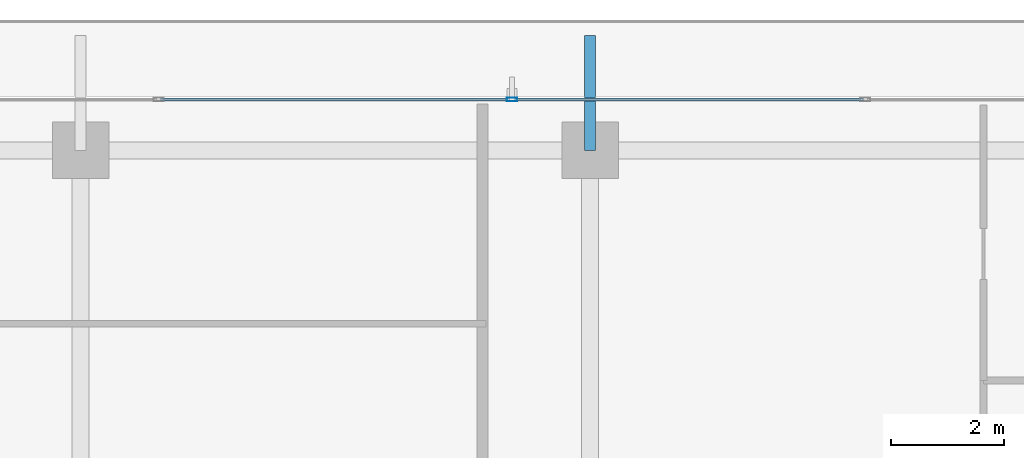
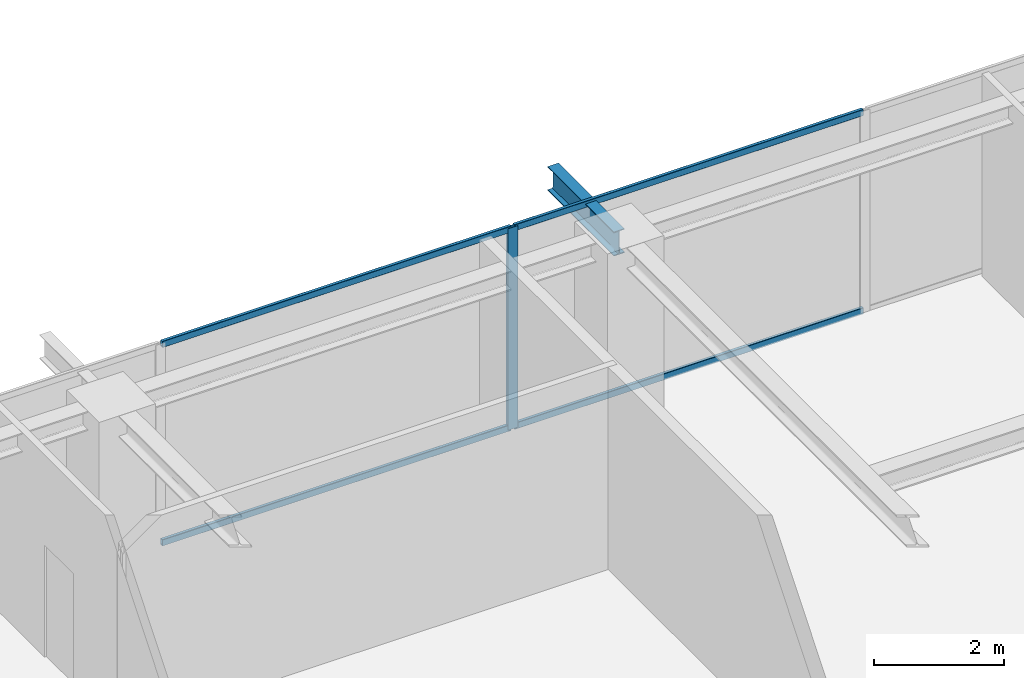
# One storey, part 23 of 41: 5 members, 1 beam, 1 element without a shape of its own.
"""IFC4 building model written with IfcOpenShell, lengths in metres."""

from ifc_helpers import new_model, si_unit, direction, frame, origin, origin_2d, place, context, subcontext, project, spatial, hollow_rectangle, i_section, extrude, source, transform, mapped, material, layer, layer_set, material_profile, profile_set, type_object, element, aggregate, save


model = new_model("IFC4")

# Units and contexts
model_context = context("Model", 3, precision=1e-05, world=origin(), true_north=direction((0.0, 1.0)))
body_context = subcontext(model_context, "Body", "Model", "MODEL_VIEW")
ifc_project = project(units=[si_unit("LENGTHUNIT", "METRE"), si_unit("AREAUNIT", "SQUARE_METRE"), si_unit("VOLUMEUNIT", "CUBIC_METRE"), si_unit("PLANEANGLEUNIT", "RADIAN"), si_unit("MASSUNIT", "GRAM", prefix="KILO")], contexts=[model_context])

# Site, building, storey
site_placement = place(None, origin())
site = spatial("IfcSite", under=ifc_project, at=site_placement, CompositionType="ELEMENT")
building_placement = place(site_placement, origin())
building = spatial("IfcBuilding", under=site, at=building_placement, Name="Serunith Strait Residences", CompositionType="ELEMENT")
storey_placement = place(building_placement, frame((0.0, 0.0, 301.550048828125)))
storey = spatial("IfcBuildingStorey", under=building, at=storey_placement, Name="L75", CompositionType="ELEMENT", Elevation=301.550048828125)

# Beam
ifc_material_1 = material(Name="Steel S355J2", Category="steel")
ifc_material_profile_1 = material_profile(ifc_material_1, i_section(OverallWidth=0.18994140625, OverallDepth=0.449951171875, WebThickness=0.009521484375, FlangeThickness=0.0146484375, FilletRadius=0.02099609375, at=origin_2d()), Name="IPE 450")
ifc_profile_set_1 = profile_set([ifc_material_profile_1], Name="Steel S355J2")
beam_type = type_object("IfcBeamType", Name="BM-IPE450", PredefinedType="JOIST", material=ifc_profile_set_1)
shared_shape_1 = source(origin(), body_context, "Body", "SweptSolid", [
    extrude(i_section(OverallWidth=0.18994140625, OverallDepth=0.449951171875, WebThickness=0.009521484375, FlangeThickness=0.0146484375, FilletRadius=0.02099609375, at=origin_2d()), origin(), (0.0, 0.0, 1.0), 2.02978515625),
])
beam_placement = place(storey_placement, frame((36.89990234375, 47.10009765625, 3.531982421875), z_axis=(0.0, 1.0, 0.0), x_axis=(-1.0, 0.0, 0.0)))
element("IfcBeam", 1, at=beam_placement, inside=storey, type_object=beam_type, Name="L76 Cantilevered Balcony Rib TC-N3", PredefinedType="JOIST", context=body_context, shape_type="MappedRepresentation", body=[
    mapped(shared_shape_1, transform((0.0, 0.0, 0.0), scale=1.0)),
])

# Curtain wall, members
ifc_material_2 = material(Name="Brushed Stainless-Silver Aluminium", Category="aluminium")
ifc_layer = layer(ifc_material_2, 0.199951171875, Name="Brushed Stainless-Silver Aluminium")
ifc_layer_set = layer_set([ifc_layer], Name="Brushed Stainless-Silver Aluminium")
curtain_wall_type = type_object("IfcCurtainWallType", Name="CW-SYS5", PredefinedType="NOTDEFINED", material=ifc_layer_set)
curtain_wall_placement = place(storey_placement, origin())
curtain_wall = element("IfcCurtainWall", 2, at=curtain_wall_placement, inside=storey, type_object=curtain_wall_type, Name="L75 N Unitised Fritted Curtain Wall", PredefinedType="NOTDEFINED")
ifc_material_profile_2 = material_profile(ifc_material_2, hollow_rectangle(XDim=0.06005859375, YDim=0.1201171875, WallThickness=0.00341796875, InnerFilletRadius=0.00537109375, OuterFilletRadius=0.0087890625, at=origin_2d()), Name="ALU 120x60x3.5")
ifc_profile_set_2 = profile_set([ifc_material_profile_2], Name="Brushed Stainless-Silver Aluminium")
member_type_1 = type_object("IfcMemberType", Name="CW-SYS5-TRAN", PredefinedType="USERDEFINED", material=ifc_profile_set_2)
shared_shape_2 = source(origin(), body_context, "Body", "SweptSolid", [
    extrude(hollow_rectangle(XDim=0.06005859375, YDim=0.1201171875, WallThickness=0.00341796875, InnerFilletRadius=0.00537109375, OuterFilletRadius=0.0087890625, at=origin_2d()), origin(), (0.0, 0.0, 1.0), 6.175048828125),
])
member_1_placement = place(storey_placement, frame((41.7275390625, 48.0, 0.030029296875), z_axis=(-1.0, 0.0, 0.0), x_axis=(0.0, -1.0, 0.0)))
member_1 = element("IfcMember", 3, at=member_1_placement, type_object=member_type_1, Name="CW-5 transom 2.1", ObjectType="TRANSOM", PredefinedType="USERDEFINED", context=body_context, shape_type="MappedRepresentation", body=[
    mapped(shared_shape_2, transform((0.0, 0.0, 0.0), scale=1.0)),
])
member_2_placement = place(storey_placement, frame((41.7275390625, 48.0, 3.744873046875), z_axis=(-1.0, 0.0, 0.0), x_axis=(0.0, -1.0, 0.0)))
member_2 = element("IfcMember", 4, at=member_2_placement, type_object=member_type_1, Name="CW-5 transom 2.2", ObjectType="TRANSOM", PredefinedType="USERDEFINED", context=body_context, shape_type="MappedRepresentation", body=[
    mapped(shared_shape_2, transform((0.0, 0.0, 0.0), scale=1.0)),
])
member_3_placement = place(storey_placement, frame((35.487548828125, 48.0, 0.030029296875), z_axis=(-1.0, 0.0, 0.0), x_axis=(0.0, -1.0, 0.0)))
member_3 = element("IfcMember", 5, at=member_3_placement, type_object=member_type_1, Name="CW-5 transom 3.1", ObjectType="TRANSOM", PredefinedType="USERDEFINED", context=body_context, shape_type="MappedRepresentation", body=[
    mapped(shared_shape_2, transform((0.0, 0.0, 0.0), scale=1.0)),
])
member_4_placement = place(storey_placement, frame((35.487548828125, 48.0, 3.744873046875), z_axis=(-1.0, 0.0, 0.0), x_axis=(0.0, -1.0, 0.0)))
member_4 = element("IfcMember", 6, at=member_4_placement, type_object=member_type_1, Name="CW-5 transom 3.2", ObjectType="TRANSOM", PredefinedType="USERDEFINED", context=body_context, shape_type="MappedRepresentation", body=[
    mapped(shared_shape_2, transform((0.0, 0.0, 0.0), scale=1.0)),
])
ifc_material_profile_3 = material_profile(ifc_material_2, hollow_rectangle(XDim=0.06494140625, YDim=0.179931640625, WallThickness=0.00341796875, InnerFilletRadius=0.00537109375, OuterFilletRadius=0.0087890625, at=origin_2d()), Name="ALU 180x65x3.5")
ifc_profile_set_3 = profile_set([ifc_material_profile_3], Name="Brushed Stainless-Silver Aluminium")
member_type_2 = type_object("IfcMemberType", Name="CW-SYS5-MULL", PredefinedType="MULLION", material=ifc_profile_set_3)
shared_shape_3 = source(origin(), body_context, "Body", "SweptSolid", [
    extrude(hollow_rectangle(XDim=0.06494140625, YDim=0.179931640625, WallThickness=0.00341796875, InnerFilletRadius=0.00537109375, OuterFilletRadius=0.0087890625, at=origin_2d()), origin(), (0.0, 0.0, 1.0), 3.77490234375),
])
member_5_placement = place(storey_placement, frame((35.52001953125, 48.0, 0.0), z_axis=(0.0, 0.0, 1.0), x_axis=(0.0, -1.0, 0.0)))
member_5 = element("IfcMember", 7, at=member_5_placement, type_object=member_type_2, Name="CW-5 mullion 3", PredefinedType="MULLION", context=body_context, shape_type="MappedRepresentation", body=[
    mapped(shared_shape_3, transform((0.0, 0.0, 0.0), scale=1.0)),
])
aggregate(curtain_wall, [member_5, member_1, member_2, member_3, member_4])

save(model, "model.ifc")
